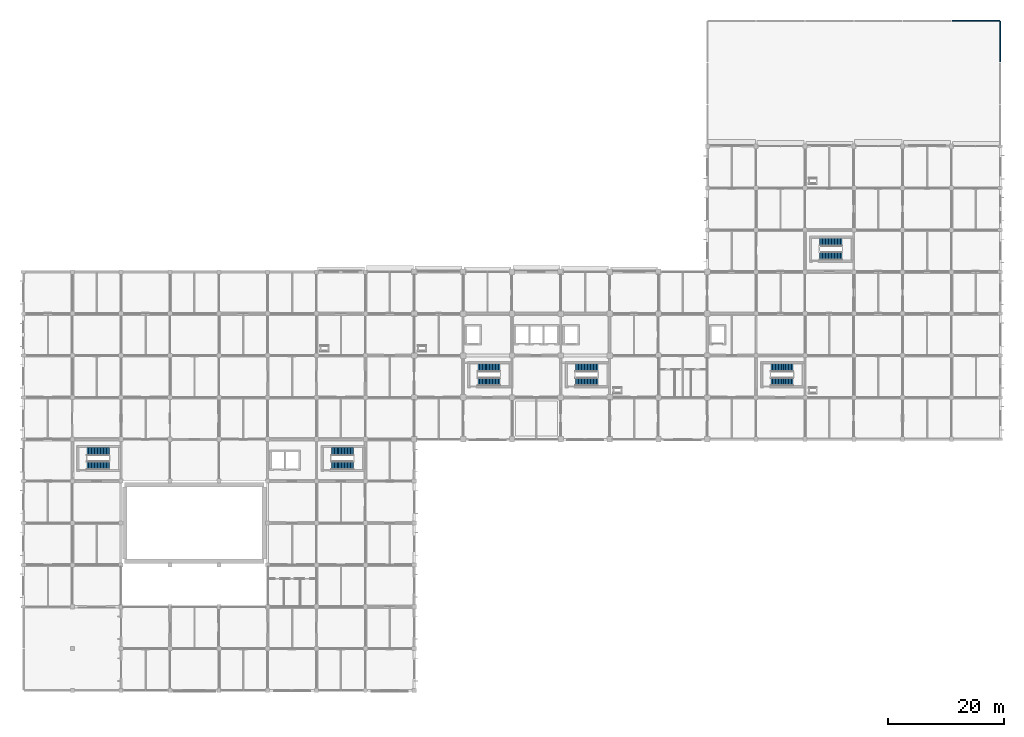
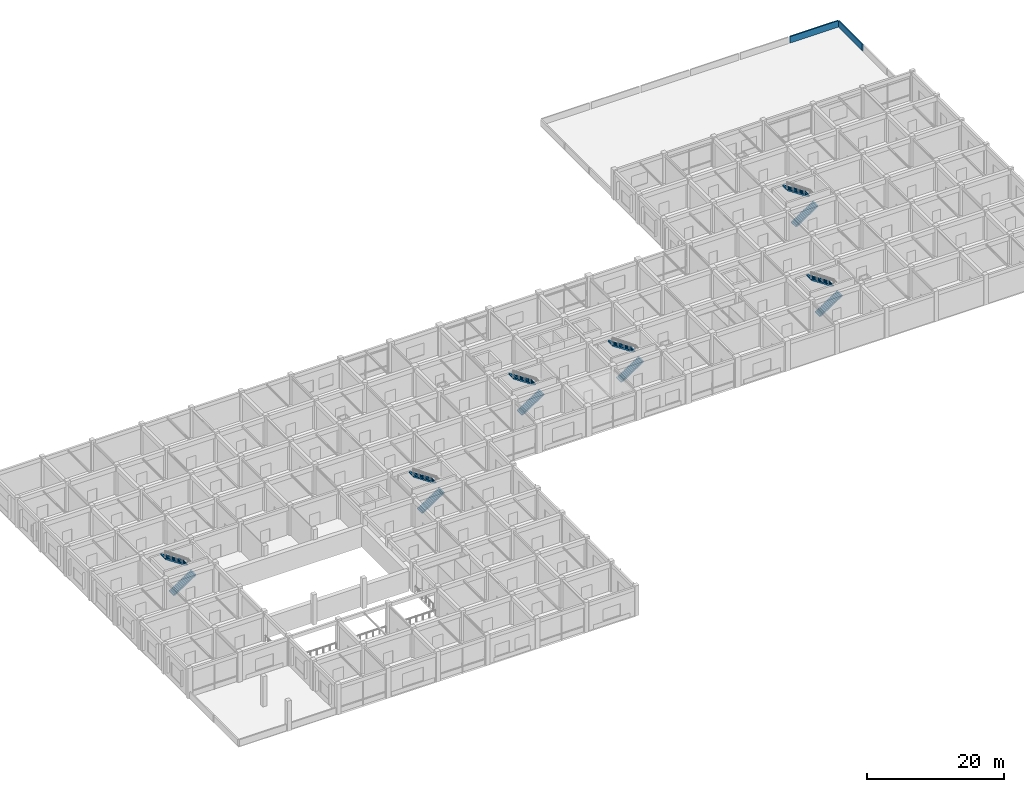
# One storey, part 31 of 41: 12 stair flights, 2 walls, 6 elements without a shape of their own.
"""IFC4 building model written with IfcOpenShell, lengths in metres."""

import ifcopenshell
import ifcopenshell.guid

model = None  # the IFC model being written
_history = None  # IfcOwnerHistory: only IFC2X3 demands one
_inside = {}  # id of a spatial element -> (the spatial element, [elements in it])
_under = {}  # id of a project, library or spatial element -> (it, [spatial elements below it])
_declared = {}  # id of a project -> (the project, [libraries it declares])
_typed = {}  # id of a type object -> (the type object, [elements of that type])
_made_of = {}  # id of a material, layer set ... -> (it, [elements and type objects made of it])


def new_model(schema):
    """Start an empty IFC model of exactly this schema.

    Asked for "IFC4X3", IfcOpenShell would pick the latest addendum, in which some entities
    have other attributes; the version numbers below select the first issue.
    IFC2X3 requires an IfcOwnerHistory on every rooted entity: one is made here for all.
    """
    global model, _history
    if schema == "IFC4X3":
        model = ifcopenshell.file(schema_version=(4, 3, 0, 0))
    else:
        model = ifcopenshell.file(schema=schema)
    _inside.clear()
    _under.clear()
    _declared.clear()
    _typed.clear()
    _made_of.clear()
    _history = None
    if model.schema == "IFC2X3":
        org = make("IfcOrganization", Name="unknown")
        user = make(
            "IfcPersonAndOrganization",
            ThePerson=make("IfcPerson", FamilyName="unknown"),
            TheOrganization=org,
        )
        app = make(
            "IfcApplication",
            ApplicationDeveloper=org,
            Version="unknown",
            ApplicationFullName="unknown",
            ApplicationIdentifier="unknown",
        )
        _history = make(
            "IfcOwnerHistory",
            OwningUser=user,
            OwningApplication=app,
            ChangeAction="ADDED",
            CreationDate=0,
        )
    return model


def make(cls, **values):
    """One entity of the class cls with the attributes given. An attribute that is None is left unset."""
    return model.create_entity(
        cls, **{name: value for name, value in values.items() if value is not None}
    )


def rooted(cls, **values):
    """An entity with a GlobalId (a new one), such as an element, a storey or a relation."""
    return make(cls, GlobalId=ifcopenshell.guid.new(), OwnerHistory=_history, **values)


def si_unit(unit_type, name, prefix=None):
    """IfcSIUnit, for example si_unit("LENGTHUNIT", "METRE", prefix="MILLI")."""
    return make("IfcSIUnit", UnitType=unit_type, Prefix=prefix, Name=name)


def derived_unit(unit_type, elements):
    """IfcDerivedUnit: a product of units, each with its exponent."""
    return make(
        "IfcDerivedUnit",
        Elements=[
            make("IfcDerivedUnitElement", Unit=unit, Exponent=power)
            for unit, power in elements
        ],
        UnitType=unit_type,
    )


def assignment(units):
    """IfcUnitAssignment: the units of a project."""
    return None if units is None else make("IfcUnitAssignment", Units=units)


def point(xyz):
    """IfcCartesianPoint."""
    return None if xyz is None else make("IfcCartesianPoint", Coordinates=xyz)


def direction(xyz):
    """IfcDirection."""
    return None if xyz is None else make("IfcDirection", DirectionRatios=xyz)


def frame(location, z_axis=None, x_axis=None):
    """IfcAxis2Placement3D, a coordinate frame: its origin and axes. An axis left out is left unset."""
    return make(
        "IfcAxis2Placement3D",
        Location=point(location),
        Axis=direction(z_axis),
        RefDirection=direction(x_axis),
    )


def frame_2d(location, x_axis=None):
    """IfcAxis2Placement2D, a coordinate frame in the plane: its origin and x axis."""
    return make(
        "IfcAxis2Placement2D", Location=point(location), RefDirection=direction(x_axis)
    )


def origin():
    """The frame at (0, 0, 0) with its axes left unset."""
    return frame((0.0, 0.0, 0.0))


def place(relative_to, where):
    """IfcLocalPlacement: puts the frame where relative to a parent placement (None: the world)."""
    return make(
        "IfcLocalPlacement", PlacementRelTo=relative_to, RelativePlacement=where
    )


def context(
    kind, dimensions, precision=None, world=None, true_north=None, identifier=None
):
    """IfcGeometricRepresentationContext, for example the 3D "Model" context."""
    return make(
        "IfcGeometricRepresentationContext",
        ContextIdentifier=identifier,
        ContextType=kind,
        CoordinateSpaceDimension=dimensions,
        Precision=precision,
        WorldCoordinateSystem=world,
        TrueNorth=true_north,
    )


def subcontext(parent, identifier, kind, view, scale=None):
    """IfcGeometricRepresentationSubContext, for example "Body" below "Model"."""
    return make(
        "IfcGeometricRepresentationSubContext",
        ContextIdentifier=identifier,
        ContextType=kind,
        ParentContext=parent,
        TargetScale=scale,
        TargetView=view,
    )


def project(units=None, contexts=None):
    """IfcProject with its units and contexts."""
    return rooted(
        "IfcProject",
        Name="project",
        RepresentationContexts=contexts,
        UnitsInContext=assignment(units),
    )


def spatial(cls, under=None, at=None, **own):
    """A site, building, storey or space (cls), placed at a placement, below another one or the project."""
    s = rooted(cls, ObjectPlacement=at, **own)
    if under is not None:
        _under.setdefault(under.id(), (under, []))[1].append(s)
    return s


def polyline(points):
    """IfcPolyline through the points."""
    return make("IfcPolyline", Points=[point(p) for p in points])


def profile(cls, at=None, kind="AREA", **sizes):
    """A parametric profile (cls). Its sizes go by their IFC names, for example OverallWidth=200.0."""
    return make(cls, ProfileType=kind, Position=at, **sizes)


def rectangle(**sizes):
    """IfcRectangleProfileDef."""
    return profile("IfcRectangleProfileDef", **sizes)


def outline(outer, holes=None, kind="AREA"):
    """IfcArbitraryClosedProfileDef: a profile drawn as a closed curve; with holes, ...WithVoids."""
    if holes is None:
        return make("IfcArbitraryClosedProfileDef", ProfileType=kind, OuterCurve=outer)
    return make(
        "IfcArbitraryProfileDefWithVoids",
        ProfileType=kind,
        OuterCurve=outer,
        InnerCurves=holes,
    )


def extrude(swept, where, along, depth):
    """IfcExtrudedAreaSolid: the profile swept, set in the frame where, extruded along a direction by depth."""
    return make(
        "IfcExtrudedAreaSolid",
        SweptArea=swept,
        Position=where,
        ExtrudedDirection=direction(along),
        Depth=depth,
    )


def shape(context_of_items, identifier, shape_type, items):
    """IfcShapeRepresentation: the items that make up one representation, for example the "Body"."""
    return make(
        "IfcShapeRepresentation",
        ContextOfItems=context_of_items,
        RepresentationIdentifier=identifier,
        RepresentationType=shape_type,
        Items=items,
    )


def material(Name=None, Category=None):
    """IfcMaterial."""
    return make("IfcMaterial", Name=Name, Category=Category)


def layer(
    of_material, thickness, ventilated=None, Name=None, Category=None, Priority=None
):
    """IfcMaterialLayer: one layer of a wall or slab, of a material (None: an air gap)."""
    return make(
        "IfcMaterialLayer",
        Material=of_material,
        LayerThickness=thickness,
        IsVentilated=ventilated,
        Name=Name,
        Category=Category,
        Priority=Priority,
    )


def layer_set(layers, Name=None):
    """IfcMaterialLayerSet."""
    return make("IfcMaterialLayerSet", MaterialLayers=layers, LayerSetName=Name)


def made_of(thing, what):
    """Note that an element or type object is made of a material, layer set ...; save() writes the relation."""
    if what is not None:
        _made_of.setdefault(what.id(), (what, []))[1].append(thing)
    return thing


def type_object(cls, material=None, **own):
    """A type object (cls), such as IfcWallType, which elements share."""
    return made_of(rooted(cls, **own), material)


def element(
    cls,
    number,
    at=None,
    inside=None,
    cuts=None,
    type_object=None,
    material=None,
    context=None,
    identifier="Body",
    shape_type=None,
    held_by="IfcProductDefinitionShape",
    body=None,
    shapes=None,
    **own,
):
    """One element of the class cls, such as IfcWall. Its Tag is "e" and its number.

    at: its placement. inside: the storey or other place that contains it. cuts: it is an
    opening in that element (IfcRelVoidsElement). A single representation is given by context,
    identifier, shape_type and body (its items); several are given by shapes. held_by: the class
    of the entity that holds the representations. save() writes the other relations.
    """
    e = rooted(cls, Tag="e%d" % number, ObjectPlacement=at, **own)
    if body is not None:
        shapes = [shape(context, identifier, shape_type, body)]
    if shapes is not None:
        e.Representation = make(held_by, Representations=shapes)
    if inside is not None:
        _inside.setdefault(inside.id(), (inside, []))[1].append(e)
    if cuts is not None:
        rooted(
            "IfcRelVoidsElement", RelatingBuildingElement=cuts, RelatedOpeningElement=e
        )
    if type_object is not None:
        _typed.setdefault(type_object.id(), (type_object, []))[1].append(e)
    return made_of(e, material)


def aggregate(whole, parts):
    """IfcRelAggregates: a whole, such as a stair, and the parts it consists of."""
    return rooted("IfcRelAggregates", RelatingObject=whole, RelatedObjects=parts)


def save(model, path):
    """Write the relations noted so far, then the file.

    IfcRelAggregates (storeys below a building ...), IfcRelContainedInSpatialStructure (elements
    in a storey), IfcRelDefinesByType, IfcRelAssociatesMaterial and IfcRelDeclares: one each for
    every whole, place, type object, material and project.
    """
    for whole, parts in _under.values():
        aggregate(whole, parts)
    for where, things in _inside.values():
        rooted(
            "IfcRelContainedInSpatialStructure",
            RelatedElements=things,
            RelatingStructure=where,
        )
    for kind, things in _typed.values():
        rooted("IfcRelDefinesByType", RelatedObjects=things, RelatingType=kind)
    for what, things in _made_of.values():
        rooted("IfcRelAssociatesMaterial", RelatedObjects=things, RelatingMaterial=what)
    for by, libraries in _declared.values():
        rooted("IfcRelDeclares", RelatingContext=by, RelatedDefinitions=libraries)
    model.write(path)


model = new_model("IFC4")

# Units and contexts
model_context = context("Model", 3, precision=1e-05, world=origin(), true_north=direction((0.0, 1.0)))
body_context = subcontext(model_context, "Body", "Model", "MODEL_VIEW")
ifc_project = project(units=[si_unit("LENGTHUNIT", "METRE"), si_unit("AREAUNIT", "SQUARE_METRE"), si_unit("VOLUMEUNIT", "CUBIC_METRE"), si_unit("PLANEANGLEUNIT", "RADIAN"), si_unit("MASSUNIT", "GRAM", prefix="KILO"), derived_unit("THERMALTRANSMITTANCEUNIT", [(si_unit("MASSUNIT", "GRAM", prefix="KILO"), 1), (si_unit("TIMEUNIT", "SECOND"), -3), (si_unit("THERMODYNAMICTEMPERATUREUNIT", "KELVIN"), -1)])], contexts=[model_context])

# Site, building, storey
site_placement = place(None, origin())
site = spatial("IfcSite", under=ifc_project, at=site_placement, CompositionType="ELEMENT")
building_placement = place(site_placement, origin())
building = spatial("IfcBuilding", under=site, at=building_placement, Name="Veldstrom Oceanarium and Marine Research Institute", CompositionType="ELEMENT")
storey_placement = place(building_placement, frame((0.0, 0.0, 6.0)))
storey = spatial("IfcBuildingStorey", under=building, at=storey_placement, Name="L01", CompositionType="ELEMENT", Elevation=6.0)

# Walls
ifc_material_1 = material(Name="Masonry Cavity Wall", Category="masonry")
ifc_layer = layer(ifc_material_1, 0.219970703125)
ifc_layer_set = layer_set([ifc_layer], Name="ARC-WAL-PR1")
wall_type = type_object("IfcWallType", Name="ARC-WAL-PR1", PredefinedType="PARAPET", material=ifc_layer_set)
wall_1_placement = place(storey_placement, frame((159.719970703125, 115.199951171875, 0.0), z_axis=(0.0, 0.0, 1.0), x_axis=(1.0, 0.0, 0.0)))
element("IfcWall", 1, at=wall_1_placement, inside=storey, type_object=wall_type, Name="Roof Parapet Wall L00-020", PredefinedType="PARAPET", context=body_context, shape_type="SweptSolid", body=[
    extrude(rectangle(XDim=8.159912109375, YDim=0.219970703125, at=frame_2d((4.080078125, 0.0))), origin(), (0.0, 0.0, 1.0), 1.14990234375),
])
wall_2_placement = place(storey_placement, frame((168.0, 108.1201171875, 0.0), z_axis=(0.0, 0.0, 1.0), x_axis=(0.0, 1.0, 0.0)))
element("IfcWall", 2, at=wall_2_placement, inside=storey, type_object=wall_type, Name="Roof Parapet Wall L00-021", PredefinedType="PARAPET", context=body_context, shape_type="SweptSolid", body=[
    extrude(rectangle(XDim=6.9599609375, YDim=0.219970703125, at=frame_2d((3.47998046875, 0.0))), origin(), (0.0, 0.0, 1.0), 1.14990234375),
])

# Stair, stair flights
ifc_material_2 = material(Name="Concrete C40/50", Category="concrete")
stair_type = type_object("IfcStairType", Name="ARC-STR-ST-540", PredefinedType="TWO_STRAIGHT_RUN_STAIR", material=ifc_material_2)
stair_1_placement = place(storey_placement, origin())
stair_1 = element("IfcStair", 3, at=stair_1_placement, inside=storey, type_object=stair_type, Name="Dog-Leg Escape Stair ST1-L01", PredefinedType="TWO_STRAIGHT_RUN_STAIR")
ifc_material_3 = material(Name="Concrete C40/50", Category="concrete")
stair_flight_type = type_object("IfcStairFlightType", Name="ARC-STF-ST-540", PredefinedType="STRAIGHT", material=ifc_material_3)
stair_flight_1_placement = place(storey_placement, frame((78.139892578125, 53.10009765625, 0.0), z_axis=(0.0, 0.0, 1.0), x_axis=(1.0, 0.0, 0.0)))
stair_flight_1 = element("IfcStairFlight", 4, at=stair_flight_1_placement, type_object=stair_flight_type, Name="Stair Flight ST1-L01-1", NumberOfRisers=16, NumberOfTreads=15, PredefinedType="STRAIGHT", RiserHeight=0.16875, TreadLength=0.255, context=body_context, shape_type="SweptSolid", body=[
    extrude(outline(polyline([(0.0, 0.0), (0.0, 0.168701171875), (0.2548828125, 0.168701171875), (0.2548828125, 0.33740234375), (0.510009765625, 0.33740234375), (0.510009765625, 0.50634765625), (0.764892578125, 0.50634765625), (0.764892578125, 0.675048828125), (1.02001953125, 0.675048828125), (1.02001953125, 0.84375), (1.27490234375, 0.84375), (1.27490234375, 1.012451171875), (1.530029296875, 1.012451171875), (1.530029296875, 1.18115234375), (1.784912109375, 1.18115234375), (1.784912109375, 1.35009765625), (2.0400390625, 1.35009765625), (2.0400390625, 1.518798828125), (2.294921875, 1.518798828125), (2.294921875, 1.6875), (2.550048828125, 1.6875), (2.550048828125, 1.856201171875), (2.804931640625, 1.856201171875), (2.804931640625, 2.02490234375), (3.06005859375, 2.02490234375), (3.06005859375, 2.19384765625), (3.31494140625, 2.19384765625), (3.31494140625, 2.362548828125), (3.570068359375, 2.362548828125), (3.570068359375, 2.53125), (3.824951171875, 2.53125), (3.824951171875, 2.699951171875), (3.824951171875, 2.3154296875), (0.325927734375, 0.0), (0.0, 0.0)])), frame((0.0, 0.699951171875, 0.0), z_axis=(0.0, -1.0, 0.0), x_axis=(1.0, 0.0, 0.0)), (0.0, 0.0, 1.0), 1.39990234375),
])
stair_flight_2_placement = place(storey_placement, frame((81.965087890625, 55.5, 2.699951171875), z_axis=(0.0, 0.0, 1.0), x_axis=(-1.0, 0.0, 0.0)))
stair_flight_2 = element("IfcStairFlight", 5, at=stair_flight_2_placement, type_object=stair_flight_type, Name="Stair Flight ST1-L01-2", NumberOfRisers=16, NumberOfTreads=15, PredefinedType="STRAIGHT", RiserHeight=0.16875, TreadLength=0.255, context=body_context, shape_type="SweptSolid", body=[
    extrude(outline(polyline([(0.0, 0.0), (0.0, 0.168701171875), (0.2548828125, 0.168701171875), (0.2548828125, 0.33740234375), (0.510009765625, 0.33740234375), (0.510009765625, 0.50634765625), (0.764892578125, 0.50634765625), (0.764892578125, 0.675048828125), (1.02001953125, 0.675048828125), (1.02001953125, 0.84375), (1.27490234375, 0.84375), (1.27490234375, 1.012451171875), (1.530029296875, 1.012451171875), (1.530029296875, 1.18115234375), (1.784912109375, 1.18115234375), (1.784912109375, 1.35009765625), (2.0400390625, 1.35009765625), (2.0400390625, 1.518798828125), (2.294921875, 1.518798828125), (2.294921875, 1.6875), (2.550048828125, 1.6875), (2.550048828125, 1.856201171875), (2.804931640625, 1.856201171875), (2.804931640625, 2.02490234375), (3.06005859375, 2.02490234375), (3.06005859375, 2.19384765625), (3.31494140625, 2.19384765625), (3.31494140625, 2.362548828125), (3.570068359375, 2.362548828125), (3.570068359375, 2.53125), (3.824951171875, 2.53125), (3.824951171875, 2.699951171875), (3.824951171875, 2.3154296875), (0.325927734375, 0.0), (0.0, 0.0)])), frame((0.0, 0.699951171875, 0.0), z_axis=(0.0, -1.0, 0.0), x_axis=(1.0, 0.0, 0.0)), (0.0, 0.0, 1.0), 1.39990234375),
])
aggregate(stair_1, [stair_flight_1, stair_flight_2])

stair_2_placement = place(storey_placement, origin())
stair_2 = element("IfcStair", 6, at=stair_2_placement, inside=storey, type_object=stair_type, Name="Dog-Leg Escape Stair ST2-L01", PredefinedType="TWO_STRAIGHT_RUN_STAIR")
stair_flight_3_placement = place(storey_placement, frame((94.93994140625, 53.10009765625, 0.0), z_axis=(0.0, 0.0, 1.0), x_axis=(1.0, 0.0, 0.0)))
stair_flight_3 = element("IfcStairFlight", 7, at=stair_flight_3_placement, type_object=stair_flight_type, Name="Stair Flight ST2-L01-1", NumberOfRisers=16, NumberOfTreads=15, PredefinedType="STRAIGHT", RiserHeight=0.16875, TreadLength=0.255, context=body_context, shape_type="SweptSolid", body=[
    extrude(outline(polyline([(0.0, 0.0), (0.0, 0.168701171875), (0.2548828125, 0.168701171875), (0.2548828125, 0.33740234375), (0.510009765625, 0.33740234375), (0.510009765625, 0.50634765625), (0.764892578125, 0.50634765625), (0.764892578125, 0.675048828125), (1.02001953125, 0.675048828125), (1.02001953125, 0.84375), (1.27490234375, 0.84375), (1.27490234375, 1.012451171875), (1.530029296875, 1.012451171875), (1.530029296875, 1.18115234375), (1.784912109375, 1.18115234375), (1.784912109375, 1.35009765625), (2.0400390625, 1.35009765625), (2.0400390625, 1.518798828125), (2.294921875, 1.518798828125), (2.294921875, 1.6875), (2.550048828125, 1.6875), (2.550048828125, 1.856201171875), (2.804931640625, 1.856201171875), (2.804931640625, 2.02490234375), (3.06005859375, 2.02490234375), (3.06005859375, 2.19384765625), (3.31494140625, 2.19384765625), (3.31494140625, 2.362548828125), (3.570068359375, 2.362548828125), (3.570068359375, 2.53125), (3.824951171875, 2.53125), (3.824951171875, 2.699951171875), (3.824951171875, 2.3154296875), (0.325927734375, 0.0), (0.0, 0.0)])), frame((0.0, 0.699951171875, 0.0), z_axis=(0.0, -1.0, 0.0), x_axis=(1.0, 0.0, 0.0)), (0.0, 0.0, 1.0), 1.39990234375),
])
stair_flight_4_placement = place(storey_placement, frame((98.764892578125, 55.5, 2.699951171875), z_axis=(0.0, 0.0, 1.0), x_axis=(-1.0, 0.0, 0.0)))
stair_flight_4 = element("IfcStairFlight", 8, at=stair_flight_4_placement, type_object=stair_flight_type, Name="Stair Flight ST2-L01-2", NumberOfRisers=16, NumberOfTreads=15, PredefinedType="STRAIGHT", RiserHeight=0.16875, TreadLength=0.255, context=body_context, shape_type="SweptSolid", body=[
    extrude(outline(polyline([(0.0, 0.0), (0.0, 0.168701171875), (0.2548828125, 0.168701171875), (0.2548828125, 0.33740234375), (0.510009765625, 0.33740234375), (0.510009765625, 0.50634765625), (0.764892578125, 0.50634765625), (0.764892578125, 0.675048828125), (1.02001953125, 0.675048828125), (1.02001953125, 0.84375), (1.27490234375, 0.84375), (1.27490234375, 1.012451171875), (1.530029296875, 1.012451171875), (1.530029296875, 1.18115234375), (1.784912109375, 1.18115234375), (1.784912109375, 1.35009765625), (2.0400390625, 1.35009765625), (2.0400390625, 1.518798828125), (2.294921875, 1.518798828125), (2.294921875, 1.6875), (2.550048828125, 1.6875), (2.550048828125, 1.856201171875), (2.804931640625, 1.856201171875), (2.804931640625, 2.02490234375), (3.06005859375, 2.02490234375), (3.06005859375, 2.19384765625), (3.31494140625, 2.19384765625), (3.31494140625, 2.362548828125), (3.570068359375, 2.362548828125), (3.570068359375, 2.53125), (3.824951171875, 2.53125), (3.824951171875, 2.699951171875), (3.824951171875, 2.3154296875), (0.325927734375, 0.0), (0.0, 0.0)])), frame((0.0, 0.699951171875, 0.0), z_axis=(0.0, -1.0, 0.0), x_axis=(1.0, 0.0, 0.0)), (0.0, 0.0, 1.0), 1.39990234375),
])
aggregate(stair_2, [stair_flight_3, stair_flight_4])

stair_3_placement = place(storey_placement, origin())
stair_3 = element("IfcStair", 9, at=stair_3_placement, inside=storey, type_object=stair_type, Name="Dog-Leg Escape Stair ST3-L01", PredefinedType="TWO_STRAIGHT_RUN_STAIR")
stair_flight_5_placement = place(storey_placement, frame((10.93994140625, 38.699951171875, 0.0), z_axis=(0.0, 0.0, 1.0), x_axis=(1.0, 0.0, 0.0)))
stair_flight_5 = element("IfcStairFlight", 10, at=stair_flight_5_placement, type_object=stair_flight_type, Name="Stair Flight ST3-L01-1", NumberOfRisers=16, NumberOfTreads=15, PredefinedType="STRAIGHT", RiserHeight=0.16875, TreadLength=0.255, context=body_context, shape_type="SweptSolid", body=[
    extrude(outline(polyline([(0.0, 0.0), (0.0, 0.168701171875), (0.2548828125, 0.168701171875), (0.2548828125, 0.33740234375), (0.510009765625, 0.33740234375), (0.510009765625, 0.50634765625), (0.764892578125, 0.50634765625), (0.764892578125, 0.675048828125), (1.02001953125, 0.675048828125), (1.02001953125, 0.84375), (1.27490234375, 0.84375), (1.27490234375, 1.012451171875), (1.530029296875, 1.012451171875), (1.530029296875, 1.18115234375), (1.784912109375, 1.18115234375), (1.784912109375, 1.35009765625), (2.0400390625, 1.35009765625), (2.0400390625, 1.518798828125), (2.294921875, 1.518798828125), (2.294921875, 1.6875), (2.550048828125, 1.6875), (2.550048828125, 1.856201171875), (2.804931640625, 1.856201171875), (2.804931640625, 2.02490234375), (3.06005859375, 2.02490234375), (3.06005859375, 2.19384765625), (3.31494140625, 2.19384765625), (3.31494140625, 2.362548828125), (3.570068359375, 2.362548828125), (3.570068359375, 2.53125), (3.824951171875, 2.53125), (3.824951171875, 2.699951171875), (3.824951171875, 2.3154296875), (0.325927734375, 0.0), (0.0, 0.0)])), frame((0.0, 0.699951171875, 0.0), z_axis=(0.0, -1.0, 0.0), x_axis=(1.0, 0.0, 0.0)), (0.0, 0.0, 1.0), 1.39990234375),
])
stair_flight_6_placement = place(storey_placement, frame((14.764892578125, 41.10009765625, 2.699951171875), z_axis=(0.0, 0.0, 1.0), x_axis=(-1.0, 0.0, 0.0)))
stair_flight_6 = element("IfcStairFlight", 11, at=stair_flight_6_placement, type_object=stair_flight_type, Name="Stair Flight ST3-L01-2", NumberOfRisers=16, NumberOfTreads=15, PredefinedType="STRAIGHT", RiserHeight=0.16875, TreadLength=0.255, context=body_context, shape_type="SweptSolid", body=[
    extrude(outline(polyline([(0.0, 0.0), (0.0, 0.168701171875), (0.2548828125, 0.168701171875), (0.2548828125, 0.33740234375), (0.510009765625, 0.33740234375), (0.510009765625, 0.50634765625), (0.764892578125, 0.50634765625), (0.764892578125, 0.675048828125), (1.02001953125, 0.675048828125), (1.02001953125, 0.84375), (1.27490234375, 0.84375), (1.27490234375, 1.012451171875), (1.530029296875, 1.012451171875), (1.530029296875, 1.18115234375), (1.784912109375, 1.18115234375), (1.784912109375, 1.35009765625), (2.0400390625, 1.35009765625), (2.0400390625, 1.518798828125), (2.294921875, 1.518798828125), (2.294921875, 1.6875), (2.550048828125, 1.6875), (2.550048828125, 1.856201171875), (2.804931640625, 1.856201171875), (2.804931640625, 2.02490234375), (3.06005859375, 2.02490234375), (3.06005859375, 2.19384765625), (3.31494140625, 2.19384765625), (3.31494140625, 2.362548828125), (3.570068359375, 2.362548828125), (3.570068359375, 2.53125), (3.824951171875, 2.53125), (3.824951171875, 2.699951171875), (3.824951171875, 2.3154296875), (0.325927734375, 0.0), (0.0, 0.0)])), frame((0.0, 0.699951171875, 0.0), z_axis=(0.0, -1.0, 0.0), x_axis=(1.0, 0.0, 0.0)), (0.0, 0.0, 1.0), 1.39990234375),
])
aggregate(stair_3, [stair_flight_5, stair_flight_6])

stair_4_placement = place(storey_placement, origin())
stair_4 = element("IfcStair", 12, at=stair_4_placement, inside=storey, type_object=stair_type, Name="Dog-Leg Escape Stair ST4-L01", PredefinedType="TWO_STRAIGHT_RUN_STAIR")
stair_flight_7_placement = place(storey_placement, frame((128.5400390625, 53.10009765625, 0.0), z_axis=(0.0, 0.0, 1.0), x_axis=(1.0, 0.0, 0.0)))
stair_flight_7 = element("IfcStairFlight", 13, at=stair_flight_7_placement, type_object=stair_flight_type, Name="Stair Flight ST4-L01-1", NumberOfRisers=16, NumberOfTreads=15, PredefinedType="STRAIGHT", RiserHeight=0.16875, TreadLength=0.255, context=body_context, shape_type="SweptSolid", body=[
    extrude(outline(polyline([(0.0, 0.0), (0.0, 0.168701171875), (0.2548828125, 0.168701171875), (0.2548828125, 0.33740234375), (0.510009765625, 0.33740234375), (0.510009765625, 0.50634765625), (0.764892578125, 0.50634765625), (0.764892578125, 0.675048828125), (1.02001953125, 0.675048828125), (1.02001953125, 0.84375), (1.27490234375, 0.84375), (1.27490234375, 1.012451171875), (1.530029296875, 1.012451171875), (1.530029296875, 1.18115234375), (1.784912109375, 1.18115234375), (1.784912109375, 1.35009765625), (2.0400390625, 1.35009765625), (2.0400390625, 1.518798828125), (2.294921875, 1.518798828125), (2.294921875, 1.6875), (2.550048828125, 1.6875), (2.550048828125, 1.856201171875), (2.804931640625, 1.856201171875), (2.804931640625, 2.02490234375), (3.06005859375, 2.02490234375), (3.06005859375, 2.19384765625), (3.31494140625, 2.19384765625), (3.31494140625, 2.362548828125), (3.570068359375, 2.362548828125), (3.570068359375, 2.53125), (3.824951171875, 2.53125), (3.824951171875, 2.699951171875), (3.824951171875, 2.3154296875), (0.325927734375, 0.0), (0.0, 0.0)])), frame((0.0, 0.699951171875, 0.0), z_axis=(0.0, -1.0, 0.0), x_axis=(1.0, 0.0, 0.0)), (0.0, 0.0, 1.0), 1.39990234375),
])
stair_flight_8_placement = place(storey_placement, frame((132.364990234375, 55.5, 2.699951171875), z_axis=(0.0, 0.0, 1.0), x_axis=(-1.0, 0.0, 0.0)))
stair_flight_8 = element("IfcStairFlight", 14, at=stair_flight_8_placement, type_object=stair_flight_type, Name="Stair Flight ST4-L01-2", NumberOfRisers=16, NumberOfTreads=15, PredefinedType="STRAIGHT", RiserHeight=0.16875, TreadLength=0.255, context=body_context, shape_type="SweptSolid", body=[
    extrude(outline(polyline([(0.0, 0.0), (0.0, 0.168701171875), (0.2548828125, 0.168701171875), (0.2548828125, 0.33740234375), (0.510009765625, 0.33740234375), (0.510009765625, 0.50634765625), (0.764892578125, 0.50634765625), (0.764892578125, 0.675048828125), (1.02001953125, 0.675048828125), (1.02001953125, 0.84375), (1.27490234375, 0.84375), (1.27490234375, 1.012451171875), (1.530029296875, 1.012451171875), (1.530029296875, 1.18115234375), (1.784912109375, 1.18115234375), (1.784912109375, 1.35009765625), (2.0400390625, 1.35009765625), (2.0400390625, 1.518798828125), (2.294921875, 1.518798828125), (2.294921875, 1.6875), (2.550048828125, 1.6875), (2.550048828125, 1.856201171875), (2.804931640625, 1.856201171875), (2.804931640625, 2.02490234375), (3.06005859375, 2.02490234375), (3.06005859375, 2.19384765625), (3.31494140625, 2.19384765625), (3.31494140625, 2.362548828125), (3.570068359375, 2.362548828125), (3.570068359375, 2.53125), (3.824951171875, 2.53125), (3.824951171875, 2.699951171875), (3.824951171875, 2.3154296875), (0.325927734375, 0.0), (0.0, 0.0)])), frame((0.0, 0.699951171875, 0.0), z_axis=(0.0, -1.0, 0.0), x_axis=(1.0, 0.0, 0.0)), (0.0, 0.0, 1.0), 1.39990234375),
])
aggregate(stair_4, [stair_flight_7, stair_flight_8])

stair_5_placement = place(storey_placement, origin())
stair_5 = element("IfcStair", 15, at=stair_5_placement, inside=storey, type_object=stair_type, Name="Dog-Leg Escape Stair ST6-L01", PredefinedType="TWO_STRAIGHT_RUN_STAIR")
stair_flight_9_placement = place(storey_placement, frame((52.93994140625, 38.699951171875, 0.0), z_axis=(0.0, 0.0, 1.0), x_axis=(1.0, 0.0, 0.0)))
stair_flight_9 = element("IfcStairFlight", 16, at=stair_flight_9_placement, type_object=stair_flight_type, Name="Stair Flight ST6-L01-1", NumberOfRisers=16, NumberOfTreads=15, PredefinedType="STRAIGHT", RiserHeight=0.16875, TreadLength=0.255, context=body_context, shape_type="SweptSolid", body=[
    extrude(outline(polyline([(0.0, 0.0), (0.0, 0.168701171875), (0.2548828125, 0.168701171875), (0.2548828125, 0.33740234375), (0.510009765625, 0.33740234375), (0.510009765625, 0.50634765625), (0.764892578125, 0.50634765625), (0.764892578125, 0.675048828125), (1.02001953125, 0.675048828125), (1.02001953125, 0.84375), (1.27490234375, 0.84375), (1.27490234375, 1.012451171875), (1.530029296875, 1.012451171875), (1.530029296875, 1.18115234375), (1.784912109375, 1.18115234375), (1.784912109375, 1.35009765625), (2.0400390625, 1.35009765625), (2.0400390625, 1.518798828125), (2.294921875, 1.518798828125), (2.294921875, 1.6875), (2.550048828125, 1.6875), (2.550048828125, 1.856201171875), (2.804931640625, 1.856201171875), (2.804931640625, 2.02490234375), (3.06005859375, 2.02490234375), (3.06005859375, 2.19384765625), (3.31494140625, 2.19384765625), (3.31494140625, 2.362548828125), (3.570068359375, 2.362548828125), (3.570068359375, 2.53125), (3.824951171875, 2.53125), (3.824951171875, 2.699951171875), (3.824951171875, 2.3154296875), (0.325927734375, 0.0), (0.0, 0.0)])), frame((0.0, 0.699951171875, 0.0), z_axis=(0.0, -1.0, 0.0), x_axis=(1.0, 0.0, 0.0)), (0.0, 0.0, 1.0), 1.39990234375),
])
stair_flight_10_placement = place(storey_placement, frame((56.764892578125, 41.10009765625, 2.699951171875), z_axis=(0.0, 0.0, 1.0), x_axis=(-1.0, 0.0, 0.0)))
stair_flight_10 = element("IfcStairFlight", 17, at=stair_flight_10_placement, type_object=stair_flight_type, Name="Stair Flight ST6-L01-2", NumberOfRisers=16, NumberOfTreads=15, PredefinedType="STRAIGHT", RiserHeight=0.16875, TreadLength=0.255, context=body_context, shape_type="SweptSolid", body=[
    extrude(outline(polyline([(0.0, 0.0), (0.0, 0.168701171875), (0.2548828125, 0.168701171875), (0.2548828125, 0.33740234375), (0.510009765625, 0.33740234375), (0.510009765625, 0.50634765625), (0.764892578125, 0.50634765625), (0.764892578125, 0.675048828125), (1.02001953125, 0.675048828125), (1.02001953125, 0.84375), (1.27490234375, 0.84375), (1.27490234375, 1.012451171875), (1.530029296875, 1.012451171875), (1.530029296875, 1.18115234375), (1.784912109375, 1.18115234375), (1.784912109375, 1.35009765625), (2.0400390625, 1.35009765625), (2.0400390625, 1.518798828125), (2.294921875, 1.518798828125), (2.294921875, 1.6875), (2.550048828125, 1.6875), (2.550048828125, 1.856201171875), (2.804931640625, 1.856201171875), (2.804931640625, 2.02490234375), (3.06005859375, 2.02490234375), (3.06005859375, 2.19384765625), (3.31494140625, 2.19384765625), (3.31494140625, 2.362548828125), (3.570068359375, 2.362548828125), (3.570068359375, 2.53125), (3.824951171875, 2.53125), (3.824951171875, 2.699951171875), (3.824951171875, 2.3154296875), (0.325927734375, 0.0), (0.0, 0.0)])), frame((0.0, 0.699951171875, 0.0), z_axis=(0.0, -1.0, 0.0), x_axis=(1.0, 0.0, 0.0)), (0.0, 0.0, 1.0), 1.39990234375),
])
aggregate(stair_5, [stair_flight_9, stair_flight_10])

stair_6_placement = place(storey_placement, origin())
stair_6 = element("IfcStair", 18, at=stair_6_placement, inside=storey, type_object=stair_type, Name="Dog-Leg Escape Stair ST7-L01", PredefinedType="TWO_STRAIGHT_RUN_STAIR")
stair_flight_11_placement = place(storey_placement, frame((136.93994140625, 74.699951171875, 0.0), z_axis=(0.0, 0.0, 1.0), x_axis=(1.0, 0.0, 0.0)))
stair_flight_11 = element("IfcStairFlight", 19, at=stair_flight_11_placement, type_object=stair_flight_type, Name="Stair Flight ST7-L01-1", NumberOfRisers=16, NumberOfTreads=15, PredefinedType="STRAIGHT", RiserHeight=0.16875, TreadLength=0.255, context=body_context, shape_type="SweptSolid", body=[
    extrude(outline(polyline([(0.0, 0.0), (0.0, 0.168701171875), (0.2548828125, 0.168701171875), (0.2548828125, 0.33740234375), (0.510009765625, 0.33740234375), (0.510009765625, 0.50634765625), (0.764892578125, 0.50634765625), (0.764892578125, 0.675048828125), (1.02001953125, 0.675048828125), (1.02001953125, 0.84375), (1.27490234375, 0.84375), (1.27490234375, 1.012451171875), (1.530029296875, 1.012451171875), (1.530029296875, 1.18115234375), (1.784912109375, 1.18115234375), (1.784912109375, 1.35009765625), (2.0400390625, 1.35009765625), (2.0400390625, 1.518798828125), (2.294921875, 1.518798828125), (2.294921875, 1.6875), (2.550048828125, 1.6875), (2.550048828125, 1.856201171875), (2.804931640625, 1.856201171875), (2.804931640625, 2.02490234375), (3.06005859375, 2.02490234375), (3.06005859375, 2.19384765625), (3.31494140625, 2.19384765625), (3.31494140625, 2.362548828125), (3.570068359375, 2.362548828125), (3.570068359375, 2.53125), (3.824951171875, 2.53125), (3.824951171875, 2.699951171875), (3.824951171875, 2.3154296875), (0.325927734375, 0.0), (0.0, 0.0)])), frame((0.0, 0.699951171875, 0.0), z_axis=(0.0, -1.0, 0.0), x_axis=(1.0, 0.0, 0.0)), (0.0, 0.0, 1.0), 1.39990234375),
])
stair_flight_12_placement = place(storey_placement, frame((140.764892578125, 77.10009765625, 2.699951171875), z_axis=(0.0, 0.0, 1.0), x_axis=(-1.0, 0.0, 0.0)))
stair_flight_12 = element("IfcStairFlight", 20, at=stair_flight_12_placement, type_object=stair_flight_type, Name="Stair Flight ST7-L01-2", NumberOfRisers=16, NumberOfTreads=15, PredefinedType="STRAIGHT", RiserHeight=0.16875, TreadLength=0.255, context=body_context, shape_type="SweptSolid", body=[
    extrude(outline(polyline([(0.0, 0.0), (0.0, 0.168701171875), (0.2548828125, 0.168701171875), (0.2548828125, 0.33740234375), (0.510009765625, 0.33740234375), (0.510009765625, 0.50634765625), (0.764892578125, 0.50634765625), (0.764892578125, 0.675048828125), (1.02001953125, 0.675048828125), (1.02001953125, 0.84375), (1.27490234375, 0.84375), (1.27490234375, 1.012451171875), (1.530029296875, 1.012451171875), (1.530029296875, 1.18115234375), (1.784912109375, 1.18115234375), (1.784912109375, 1.35009765625), (2.0400390625, 1.35009765625), (2.0400390625, 1.518798828125), (2.294921875, 1.518798828125), (2.294921875, 1.6875), (2.550048828125, 1.6875), (2.550048828125, 1.856201171875), (2.804931640625, 1.856201171875), (2.804931640625, 2.02490234375), (3.06005859375, 2.02490234375), (3.06005859375, 2.19384765625), (3.31494140625, 2.19384765625), (3.31494140625, 2.362548828125), (3.570068359375, 2.362548828125), (3.570068359375, 2.53125), (3.824951171875, 2.53125), (3.824951171875, 2.699951171875), (3.824951171875, 2.3154296875), (0.325927734375, 0.0), (0.0, 0.0)])), frame((0.0, 0.699951171875, 0.0), z_axis=(0.0, -1.0, 0.0), x_axis=(1.0, 0.0, 0.0)), (0.0, 0.0, 1.0), 1.39990234375),
])
aggregate(stair_6, [stair_flight_11, stair_flight_12])

save(model, "model.ifc")
